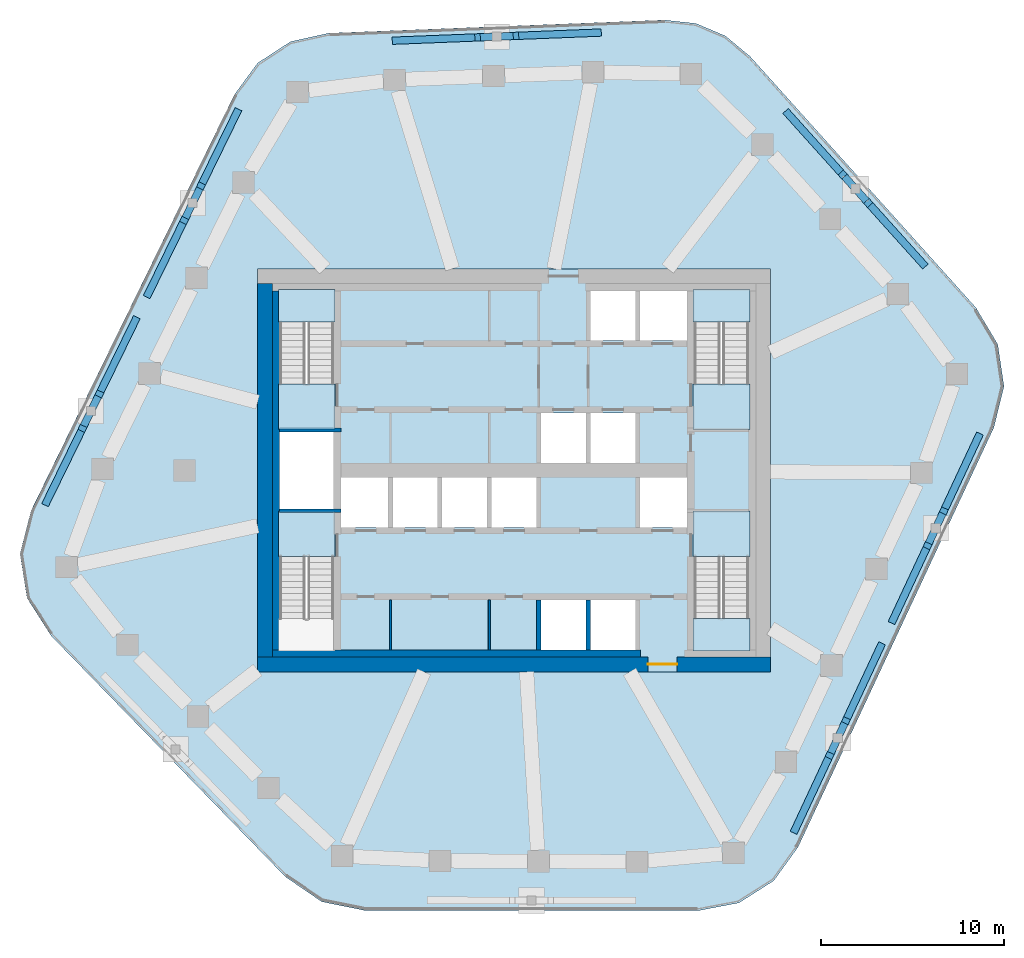
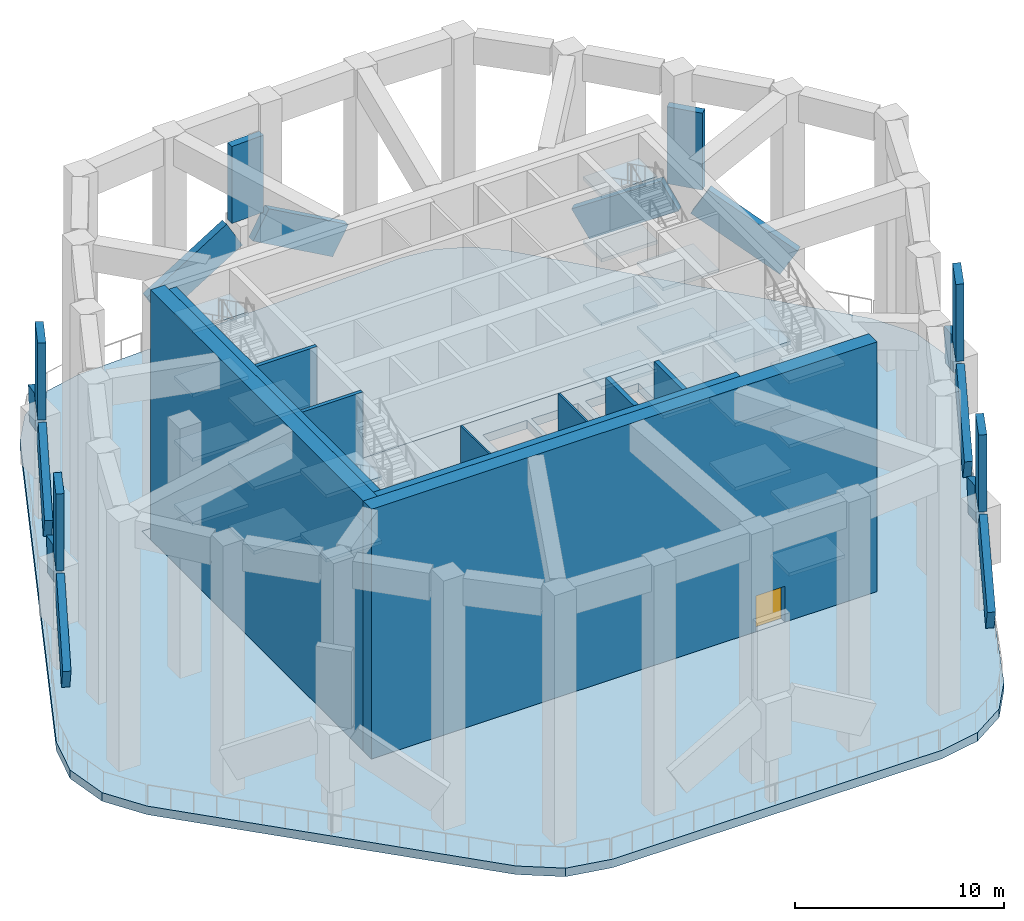
# One storey, part 2 of 12: 25 slabs, 18 plates, 10 walls, 1 door, 1 opening, 4 elements without a shape of their own.
"""IFC4 building model written with IfcOpenShell, lengths in metres."""

from ifc_helpers import new_model, si_unit, direction, frame, frame_2d, origin, origin_2d, place, context, subcontext, project, spatial, polyline, rectangle, outline, extrude, material, layer, layer_set, material_profile, profile_set, type_object, element, fill, aggregate, save


model = new_model("IFC4")

# Units and contexts
model_context = context("Model", 3, precision=1e-05, world=origin(), true_north=direction((0.0, 1.0)))
body_context = subcontext(model_context, "Body", "Model", "MODEL_VIEW")
ifc_project = project(units=[si_unit("LENGTHUNIT", "METRE"), si_unit("AREAUNIT", "SQUARE_METRE"), si_unit("VOLUMEUNIT", "CUBIC_METRE"), si_unit("PLANEANGLEUNIT", "RADIAN"), si_unit("MASSUNIT", "GRAM", prefix="KILO")], contexts=[model_context])

# Site, building, storey
site_placement = place(None, origin())
site = spatial("IfcSite", under=ifc_project, at=site_placement, CompositionType="ELEMENT")
building_placement = place(site_placement, origin())
building = spatial("IfcBuilding", under=site, at=building_placement, Name="Dongbaek Canopy Tower", CompositionType="ELEMENT")
storey_placement = place(building_placement, frame((0.0, 0.0, 183.800048828125)))
storey = spatial("IfcBuildingStorey", under=building, at=storey_placement, Name="L40", CompositionType="ELEMENT", Elevation=183.800048828125)

# Slab
ifc_material_1 = material(Name="Concrete C40/50", Category="concrete")
ifc_layer_1 = layer(ifc_material_1, 0.5)
ifc_layer_set_1 = layer_set([ifc_layer_1], Name="Core floor slab 500 Concrete C40/50")
slab_type_1 = type_object("IfcSlabType", Name="Core floor slab 500 Concrete C40/50", PredefinedType="FLOOR", material=ifc_layer_set_1)
slab_1_placement = place(storey_placement, frame((0.0, 0.0, -0.5)))
element("IfcSlab", 1, at=slab_1_placement, inside=storey, type_object=slab_type_1, Name="Core floor slab L40", PredefinedType="FLOOR", context=body_context, shape_type="SweptSolid", body=[
    extrude(outline(polyline([(14.0, -11.0), (14.0, 11.0), (-14.0, 11.0), (-14.0, -11.0), (14.0, -11.0)]), holes=[polyline([(-12.800048828125, 2.10009765625), (-9.85009765625, 2.10009765625), (-9.85009765625, -2.10009765625), (-12.800048828125, -2.10009765625), (-12.800048828125, 2.10009765625)]), polyline([(6.625, 9.800048828125), (6.625, 7.074951171875), (4.175048828125, 7.074951171875), (4.175048828125, 9.800048828125), (6.625, 9.800048828125)]), polyline([(9.449951171875, 7.074951171875), (6.875, 7.074951171875), (6.875, 9.800048828125), (9.449951171875, 9.800048828125), (9.449951171875, 7.074951171875)]), polyline([(3.925048828125, 3.125), (3.925048828125, 0.39990234375), (1.47509765625, 0.39990234375), (1.47509765625, 3.125), (3.925048828125, 3.125)]), polyline([(4.175048828125, 3.125), (6.625, 3.125), (6.625, 0.39990234375), (4.175048828125, 0.39990234375), (4.175048828125, 3.125)]), polyline([(-9.449951171875, -0.39990234375), (-6.875, -0.39990234375), (-6.875, -3.125), (-9.449951171875, -3.125), (-9.449951171875, -0.39990234375)]), polyline([(-6.625, -0.39990234375), (-4.175048828125, -0.39990234375), (-4.175048828125, -3.125), (-6.625, -3.125), (-6.625, -0.39990234375)]), polyline([(-3.925048828125, -0.39990234375), (-1.47509765625, -0.39990234375), (-1.47509765625, -3.125), (-3.925048828125, -3.125), (-3.925048828125, -0.39990234375)]), polyline([(-1.22509765625, -0.39990234375), (1.22509765625, -0.39990234375), (1.22509765625, -3.125), (-1.22509765625, -3.125), (-1.22509765625, -0.39990234375)]), polyline([(9.449951171875, -3.125), (6.875, -3.125), (6.875, -0.39990234375), (9.449951171875, -0.39990234375), (9.449951171875, -3.125)]), polyline([(1.47509765625, -9.800048828125), (1.47509765625, -7.074951171875), (3.925048828125, -7.074951171875), (3.925048828125, -9.800048828125), (1.47509765625, -9.800048828125)]), polyline([(4.175048828125, -9.800048828125), (4.175048828125, -7.074951171875), (6.625, -7.074951171875), (6.625, -9.800048828125), (4.175048828125, -9.800048828125)]), polyline([(12.800048828125, 4.70068359375), (12.800048828125, 9.800048828125), (9.85009765625, 9.800048828125), (9.85009765625, 4.70068359375), (12.800048828125, 4.70068359375)]), polyline([(-9.85009765625, 4.70068359375), (-9.85009765625, 9.800048828125), (-12.800048828125, 9.800048828125), (-12.800048828125, 4.70068359375), (-9.85009765625, 4.70068359375)]), polyline([(9.85009765625, -4.70068359375), (9.85009765625, -9.800048828125), (12.800048828125, -9.800048828125), (12.800048828125, -4.70068359375), (9.85009765625, -4.70068359375)]), polyline([(-12.800048828125, -4.70068359375), (-12.800048828125, -9.800048828125), (-9.85009765625, -9.800048828125), (-9.85009765625, -4.70068359375), (-12.800048828125, -4.70068359375)])]), origin(), (0.0, 0.0, 1.0), 0.5),
])

# Stair, slabs
ifc_material_2 = material(Name="Concrete C40/50", Category="concrete")
stair_type = type_object("IfcStairType", Name="Core exit stair", PredefinedType="HALF_TURN_STAIR", material=ifc_material_2)
stair_1_placement = place(storey_placement, origin())
stair_1 = element("IfcStair", 2, at=stair_1_placement, inside=storey, type_object=stair_type, Name="L40 exit stair A", PredefinedType="HALF_TURN_STAIR")
ifc_material_3 = material(Name="Concrete C40/50", Category="concrete")
ifc_layer_2 = layer(ifc_material_3, 0.199951171875)
ifc_layer_set_2 = layer_set([ifc_layer_2], Name="Core stair landing 200")
slab_type_2 = type_object("IfcSlabType", Name="Core stair landing 200", PredefinedType="LANDING", material=ifc_layer_set_2)
slab_2_placement = place(storey_placement, frame((0.0, 0.0, 1.675048828125)))
slab_2 = element("IfcSlab", 3, at=slab_2_placement, type_object=slab_type_2, Name="ST-A landing 1", PredefinedType="LANDING", context=body_context, shape_type="SweptSolid", body=[
    extrude(outline(polyline([(12.875, 8.10009765625), (12.875, 9.875), (9.77490234375, 9.875), (9.77490234375, 8.10009765625), (12.875, 8.10009765625)])), origin(), (0.0, 0.0, 1.0), 0.199951171875),
])
slab_3_placement = place(storey_placement, frame((0.0, 0.0, 3.550048828125)))
slab_3 = element("IfcSlab", 4, at=slab_3_placement, type_object=slab_type_2, Name="ST-A landing 2", PredefinedType="LANDING", context=body_context, shape_type="SweptSolid", body=[
    extrude(outline(polyline([(12.875, 2.22509765625), (12.875, 4.699951171875), (9.77490234375, 4.699951171875), (9.77490234375, 2.22509765625), (12.875, 2.22509765625)])), origin(), (0.0, 0.0, 1.0), 0.199951171875),
])
slab_4_placement = place(storey_placement, frame((0.0, 0.0, 5.425048828125)))
slab_4 = element("IfcSlab", 5, at=slab_4_placement, type_object=slab_type_2, Name="ST-A landing 3", PredefinedType="LANDING", context=body_context, shape_type="SweptSolid", body=[
    extrude(outline(polyline([(12.875, 8.10009765625), (12.875, 9.875), (9.77490234375, 9.875), (9.77490234375, 8.10009765625), (12.875, 8.10009765625)])), origin(), (0.0, 0.0, 1.0), 0.199951171875),
])
slab_5_placement = place(storey_placement, frame((0.0, 0.0, 7.300048828125)))
slab_5 = element("IfcSlab", 6, at=slab_5_placement, type_object=slab_type_2, Name="ST-A landing 4", PredefinedType="LANDING", context=body_context, shape_type="SweptSolid", body=[
    extrude(outline(polyline([(12.875, 2.22509765625), (12.875, 4.699951171875), (9.77490234375, 4.699951171875), (9.77490234375, 2.22509765625), (12.875, 2.22509765625)])), origin(), (0.0, 0.0, 1.0), 0.199951171875),
])
slab_6_placement = place(storey_placement, frame((0.0, 0.0, 9.175048828125)))
slab_6 = element("IfcSlab", 7, at=slab_6_placement, type_object=slab_type_2, Name="ST-A landing 5", PredefinedType="LANDING", context=body_context, shape_type="SweptSolid", body=[
    extrude(outline(polyline([(12.875, 8.10009765625), (12.875, 9.875), (9.77490234375, 9.875), (9.77490234375, 8.10009765625), (12.875, 8.10009765625)])), origin(), (0.0, 0.0, 1.0), 0.199951171875),
])
slab_7_placement = place(storey_placement, frame((0.0, 0.0, 11.050048828125)))
slab_7 = element("IfcSlab", 8, at=slab_7_placement, type_object=slab_type_2, Name="ST-A landing 6", PredefinedType="LANDING", context=body_context, shape_type="SweptSolid", body=[
    extrude(outline(polyline([(12.875, 2.22509765625), (12.875, 4.699951171875), (9.77490234375, 4.699951171875), (9.77490234375, 2.22509765625), (12.875, 2.22509765625)])), origin(), (0.0, 0.0, 1.0), 0.199951171875),
])
slab_8_placement = place(storey_placement, frame((0.0, 0.0, 12.925048828125)))
slab_8 = element("IfcSlab", 9, at=slab_8_placement, type_object=slab_type_2, Name="ST-A landing 7", PredefinedType="LANDING", context=body_context, shape_type="SweptSolid", body=[
    extrude(outline(polyline([(12.875, 8.10009765625), (12.875, 9.875), (9.77490234375, 9.875), (9.77490234375, 8.10009765625), (12.875, 8.10009765625)])), origin(), (0.0, 0.0, 1.0), 0.199951171875),
])
aggregate(stair_1, [slab_2, slab_3, slab_4, slab_5, slab_6, slab_7, slab_8])

stair_2_placement = place(storey_placement, origin())
stair_2 = element("IfcStair", 10, at=stair_2_placement, inside=storey, type_object=stair_type, Name="L40 exit stair C", PredefinedType="HALF_TURN_STAIR")
slab_9_placement = place(storey_placement, frame((0.0, 0.0, 1.675048828125)))
slab_9 = element("IfcSlab", 11, at=slab_9_placement, type_object=slab_type_2, Name="ST-C landing 1", PredefinedType="LANDING", context=body_context, shape_type="SweptSolid", body=[
    extrude(outline(polyline([(-9.77490234375, 8.10009765625), (-9.77490234375, 9.875), (-12.875, 9.875), (-12.875, 8.10009765625), (-9.77490234375, 8.10009765625)])), origin(), (0.0, 0.0, 1.0), 0.199951171875),
])
slab_10_placement = place(storey_placement, frame((0.0, 0.0, 3.550048828125)))
slab_10 = element("IfcSlab", 12, at=slab_10_placement, type_object=slab_type_2, Name="ST-C landing 2", PredefinedType="LANDING", context=body_context, shape_type="SweptSolid", body=[
    extrude(outline(polyline([(-9.77490234375, 2.22509765625), (-9.77490234375, 4.699951171875), (-12.875, 4.699951171875), (-12.875, 2.22509765625), (-9.77490234375, 2.22509765625)])), origin(), (0.0, 0.0, 1.0), 0.199951171875),
])
slab_11_placement = place(storey_placement, frame((0.0, 0.0, 5.425048828125)))
slab_11 = element("IfcSlab", 13, at=slab_11_placement, type_object=slab_type_2, Name="ST-C landing 3", PredefinedType="LANDING", context=body_context, shape_type="SweptSolid", body=[
    extrude(outline(polyline([(-9.77490234375, 8.10009765625), (-9.77490234375, 9.875), (-12.875, 9.875), (-12.875, 8.10009765625), (-9.77490234375, 8.10009765625)])), origin(), (0.0, 0.0, 1.0), 0.199951171875),
])
slab_12_placement = place(storey_placement, frame((0.0, 0.0, 7.300048828125)))
slab_12 = element("IfcSlab", 14, at=slab_12_placement, type_object=slab_type_2, Name="ST-C landing 4", PredefinedType="LANDING", context=body_context, shape_type="SweptSolid", body=[
    extrude(outline(polyline([(-9.77490234375, 2.22509765625), (-9.77490234375, 4.699951171875), (-12.875, 4.699951171875), (-12.875, 2.22509765625), (-9.77490234375, 2.22509765625)])), origin(), (0.0, 0.0, 1.0), 0.199951171875),
])
slab_13_placement = place(storey_placement, frame((0.0, 0.0, 9.175048828125)))
slab_13 = element("IfcSlab", 15, at=slab_13_placement, type_object=slab_type_2, Name="ST-C landing 5", PredefinedType="LANDING", context=body_context, shape_type="SweptSolid", body=[
    extrude(outline(polyline([(-9.77490234375, 8.10009765625), (-9.77490234375, 9.875), (-12.875, 9.875), (-12.875, 8.10009765625), (-9.77490234375, 8.10009765625)])), origin(), (0.0, 0.0, 1.0), 0.199951171875),
])
slab_14_placement = place(storey_placement, frame((0.0, 0.0, 11.050048828125)))
slab_14 = element("IfcSlab", 16, at=slab_14_placement, type_object=slab_type_2, Name="ST-C landing 6", PredefinedType="LANDING", context=body_context, shape_type="SweptSolid", body=[
    extrude(outline(polyline([(-9.77490234375, 2.22509765625), (-9.77490234375, 4.699951171875), (-12.875, 4.699951171875), (-12.875, 2.22509765625), (-9.77490234375, 2.22509765625)])), origin(), (0.0, 0.0, 1.0), 0.199951171875),
])
slab_15_placement = place(storey_placement, frame((0.0, 0.0, 12.925048828125)))
slab_15 = element("IfcSlab", 17, at=slab_15_placement, type_object=slab_type_2, Name="ST-C landing 7", PredefinedType="LANDING", context=body_context, shape_type="SweptSolid", body=[
    extrude(outline(polyline([(-9.77490234375, 8.10009765625), (-9.77490234375, 9.875), (-12.875, 9.875), (-12.875, 8.10009765625), (-9.77490234375, 8.10009765625)])), origin(), (0.0, 0.0, 1.0), 0.199951171875),
])
aggregate(stair_2, [slab_9, slab_10, slab_11, slab_12, slab_13, slab_14, slab_15])

stair_3_placement = place(storey_placement, origin())
stair_3 = element("IfcStair", 18, at=stair_3_placement, inside=storey, type_object=stair_type, Name="L40 exit stair B", PredefinedType="HALF_TURN_STAIR")
slab_16_placement = place(storey_placement, frame((0.0, 0.0, 1.675048828125)))
slab_16 = element("IfcSlab", 19, at=slab_16_placement, type_object=slab_type_2, Name="ST-B landing 1", PredefinedType="LANDING", context=body_context, shape_type="SweptSolid", body=[
    extrude(outline(polyline([(9.77490234375, -8.10009765625), (9.77490234375, -9.875), (12.875, -9.875), (12.875, -8.10009765625), (9.77490234375, -8.10009765625)])), origin(), (0.0, 0.0, 1.0), 0.199951171875),
])
slab_17_placement = place(storey_placement, frame((0.0, 0.0, 3.550048828125)))
slab_17 = element("IfcSlab", 20, at=slab_17_placement, type_object=slab_type_2, Name="ST-B landing 2", PredefinedType="LANDING", context=body_context, shape_type="SweptSolid", body=[
    extrude(outline(polyline([(9.77490234375, -2.22509765625), (9.77490234375, -4.699951171875), (12.875, -4.699951171875), (12.875, -2.22509765625), (9.77490234375, -2.22509765625)])), origin(), (0.0, 0.0, 1.0), 0.199951171875),
])
slab_18_placement = place(storey_placement, frame((0.0, 0.0, 5.425048828125)))
slab_18 = element("IfcSlab", 21, at=slab_18_placement, type_object=slab_type_2, Name="ST-B landing 3", PredefinedType="LANDING", context=body_context, shape_type="SweptSolid", body=[
    extrude(outline(polyline([(9.77490234375, -8.10009765625), (9.77490234375, -9.875), (12.875, -9.875), (12.875, -8.10009765625), (9.77490234375, -8.10009765625)])), origin(), (0.0, 0.0, 1.0), 0.199951171875),
])
slab_19_placement = place(storey_placement, frame((0.0, 0.0, 7.300048828125)))
slab_19 = element("IfcSlab", 22, at=slab_19_placement, type_object=slab_type_2, Name="ST-B landing 4", PredefinedType="LANDING", context=body_context, shape_type="SweptSolid", body=[
    extrude(outline(polyline([(9.77490234375, -2.22509765625), (9.77490234375, -4.699951171875), (12.875, -4.699951171875), (12.875, -2.22509765625), (9.77490234375, -2.22509765625)])), origin(), (0.0, 0.0, 1.0), 0.199951171875),
])
slab_20_placement = place(storey_placement, frame((0.0, 0.0, 9.175048828125)))
slab_20 = element("IfcSlab", 23, at=slab_20_placement, type_object=slab_type_2, Name="ST-B landing 5", PredefinedType="LANDING", context=body_context, shape_type="SweptSolid", body=[
    extrude(outline(polyline([(9.77490234375, -8.10009765625), (9.77490234375, -9.875), (12.875, -9.875), (12.875, -8.10009765625), (9.77490234375, -8.10009765625)])), origin(), (0.0, 0.0, 1.0), 0.199951171875),
])
slab_21_placement = place(storey_placement, frame((0.0, 0.0, 11.050048828125)))
slab_21 = element("IfcSlab", 24, at=slab_21_placement, type_object=slab_type_2, Name="ST-B landing 6", PredefinedType="LANDING", context=body_context, shape_type="SweptSolid", body=[
    extrude(outline(polyline([(9.77490234375, -2.22509765625), (9.77490234375, -4.699951171875), (12.875, -4.699951171875), (12.875, -2.22509765625), (9.77490234375, -2.22509765625)])), origin(), (0.0, 0.0, 1.0), 0.199951171875),
])
slab_22_placement = place(storey_placement, frame((0.0, 0.0, 12.925048828125)))
slab_22 = element("IfcSlab", 25, at=slab_22_placement, type_object=slab_type_2, Name="ST-B landing 7", PredefinedType="LANDING", context=body_context, shape_type="SweptSolid", body=[
    extrude(outline(polyline([(9.77490234375, -8.10009765625), (9.77490234375, -9.875), (12.875, -9.875), (12.875, -8.10009765625), (9.77490234375, -8.10009765625)])), origin(), (0.0, 0.0, 1.0), 0.199951171875),
])
aggregate(stair_3, [slab_16, slab_17, slab_18, slab_19, slab_20, slab_21, slab_22])

stair_4_placement = place(storey_placement, origin())
stair_4 = element("IfcStair", 26, at=stair_4_placement, inside=storey, type_object=stair_type, Name="L40 exit stair D", PredefinedType="HALF_TURN_STAIR")
slab_23_placement = place(storey_placement, frame((0.0, 0.0, 7.300048828125)))
slab_23 = element("IfcSlab", 27, at=slab_23_placement, type_object=slab_type_2, Name="ST-D landing 4", PredefinedType="LANDING", context=body_context, shape_type="SweptSolid", body=[
    extrude(outline(polyline([(-12.875, -2.22509765625), (-12.875, -4.699951171875), (-9.77490234375, -4.699951171875), (-9.77490234375, -2.22509765625), (-12.875, -2.22509765625)])), origin(), (0.0, 0.0, 1.0), 0.199951171875),
])
slab_24_placement = place(storey_placement, frame((0.0, 0.0, 11.050048828125)))
slab_24 = element("IfcSlab", 28, at=slab_24_placement, type_object=slab_type_2, Name="ST-D landing 6", PredefinedType="LANDING", context=body_context, shape_type="SweptSolid", body=[
    extrude(outline(polyline([(-12.875, -2.22509765625), (-12.875, -4.699951171875), (-9.77490234375, -4.699951171875), (-9.77490234375, -2.22509765625), (-12.875, -2.22509765625)])), origin(), (0.0, 0.0, 1.0), 0.199951171875),
])
aggregate(stair_4, [slab_23, slab_24])

# Slab
ifc_material_4 = material(Name="Concrete C40", Category="concrete")
ifc_layer_3 = layer(ifc_material_4, 0.5)
ifc_layer_set_3 = layer_set([ifc_layer_3], Name="RC FLAT PLATE 500 Concrete C40")
slab_type_3 = type_object("IfcSlabType", Name="RC FLAT PLATE 500 Concrete C40", PredefinedType="FLOOR", material=ifc_layer_set_3)
slab_25_placement = place(storey_placement, frame((0.0, 0.0, -0.5)))
element("IfcSlab", 29, at=slab_25_placement, inside=storey, type_object=slab_type_3, Name="SLAB:L40", PredefinedType="FLOOR", context=body_context, shape_type="SweptSolid", body=[
    extrude(outline(polyline([(15.498291015625, -20.578857421875), (14.177001953125, -22.406982421875), (12.27392578125, -23.6181640625), (10.05810546875, -24.040771484375), (-8.16552734375, -24.030029296875), (-10.49853515625, -23.556396484375), (-12.4638671875, -22.212646484375), (-25.28515625, -9.025390625), (-26.593017578125, -6.9716796875), (-26.97705078125, -4.5673828125), (-26.3740234375, -2.20849609375), (-15.272705078125, 20.506591796875), (-14.00341796875, 22.232666015625), (-12.20849609375, 23.402587890625), (-10.1171875, 23.867431640625), (8.180908203125, 24.585205078125), (9.920166015625, 24.398193359375), (11.531494140625, 23.717529296875), (12.8779296875, 22.600830078125), (25.216064453125, 8.876220703125), (26.405517578125, 6.88037109375), (26.747314453125, 4.58251953125), (26.19091796875, 2.326904296875), (15.498291015625, -20.578857421875)]), holes=[polyline([(14.0, 11.0), (-14.0, 11.0), (-14.0, -11.0), (14.0, -11.0), (14.0, 11.0)])]), origin(), (0.0, 0.0, 1.0), 0.5),
])

# Plates
ifc_material_5 = material(Name="Aluminium 6063-T6 pale metal turbine rotor", Category="aluminium")
ifc_material_profile = material_profile(ifc_material_5, rectangle(XDim=0.39990234375, YDim=1.800048828125, at=origin_2d()), Name="Turbine rotor blade 400 x 1800")
ifc_profile_set = profile_set([ifc_material_profile], Name="Aluminium 6063-T6 pale metal turbine rotor")
plate_type = type_object("IfcPlateType", Name="Turbine rotor blade 400 x 1800", PredefinedType="SHEET", material=ifc_profile_set)
plate_1_placement = place(storey_placement, frame((18.637939453125, 15.370849609375, 6.2080078125), z_axis=(0.0, 0.0, 1.0), x_axis=(0.743679870588, 0.66853590037, 0.0)))
element("IfcPlate", 30, at=plate_1_placement, inside=storey, type_object=plate_type, Name="Turbine 1 blade 1", PredefinedType="SHEET", context=body_context, shape_type="SweptSolid", body=[
    extrude(rectangle(XDim=0.39990234375, YDim=1.800048828125, at=origin_2d()), origin(), (0.0, 0.0, 1.0), 4.508056640625),
])
for number, where, z_axis, x_axis, name in (
    (31, (18.13671875, 15.928466796875, 5.508056640625), (-0.578978717245, 0.64404409329, -0.499990850792), (-0.743673525302, -0.668542958803, 0.0), "Turbine 1 blade 2"),
    (32, (19.139404296875, 14.81298828125, 5.508056640625), (0.578978717245, -0.64404409329, -0.499990850792), (0.743673525302, 0.668542958803, 0.0), "Turbine 1 blade 3"),
):
    element("IfcPlate", number, at=place(storey_placement, frame(where, z_axis=z_axis, x_axis=x_axis)), inside=storey, type_object=plate_type, Name=name, PredefinedType="SHEET", context=body_context, shape_type="SweptSolid", body=[
        extrude(rectangle(XDim=0.39990234375, YDim=1.800048828125, at=origin_2d()), origin(), (0.0, 0.0, 1.0), 5.2080078125),
    ])
plate_2_placement = place(storey_placement, frame((-0.946533203125, 23.6767578125, 6.2080078125), z_axis=(0.0, 0.0, 1.0), x_axis=(-0.039189642556, 0.999231790886, 0.0)))
element("IfcPlate", 33, at=plate_2_placement, inside=storey, type_object=plate_type, Name="Turbine 2 blade 1", PredefinedType="SHEET", context=body_context, shape_type="SweptSolid", body=[
    extrude(rectangle(XDim=0.39990234375, YDim=1.800048828125, at=origin_2d()), origin(), (0.0, 0.0, 1.0), 4.508056640625),
])
for number, where, z_axis, x_axis, name in (
    (34, (-1.696044921875, 23.647216796875, 5.508056640625), (-0.865361728567, -0.033939430741, -0.499997193765), (0.039189805632, -0.99923178449, 0.0), "Turbine 2 blade 2"),
    (35, (-0.197265625, 23.7060546875, 5.508056640625), (0.865361728567, 0.033939430741, -0.499997193765), (-0.039189805632, 0.99923178449, 0.0), "Turbine 2 blade 3"),
):
    element("IfcPlate", number, at=place(storey_placement, frame(where, z_axis=z_axis, x_axis=x_axis)), inside=storey, type_object=plate_type, Name=name, PredefinedType="SHEET", context=body_context, shape_type="SweptSolid", body=[
        extrude(rectangle(XDim=0.39990234375, YDim=1.800048828125, at=origin_2d()), origin(), (0.0, 0.0, 1.0), 5.2080078125),
    ])
plate_3_placement = place(storey_placement, frame((-17.553955078125, 14.58642578125, 6.2080078125), z_axis=(0.0, 0.0, 1.0), x_axis=(-0.898443184933, 0.439089789734, 0.0)))
element("IfcPlate", 36, at=plate_3_placement, inside=storey, type_object=plate_type, Name="Turbine 3 blade 1", PredefinedType="SHEET", context=body_context, shape_type="SweptSolid", body=[
    extrude(rectangle(XDim=0.39990234375, YDim=1.800048828125, at=origin_2d()), origin(), (0.0, 0.0, 1.0), 4.508056640625),
])
for number, where, z_axis, x_axis, name in (
    (37, (-17.883056640625, 13.91259765625, 5.508056640625), (-0.380270641755, -0.778073485188, -0.49999589065), (0.898439410924, -0.439097511834, 0.0), "Turbine 3 blade 2"),
    (38, (-17.224609375, 15.26025390625, 5.508056640625), (0.380270641755, 0.778073485188, -0.49999589065), (-0.898439410924, 0.439097511834, 0.0), "Turbine 3 blade 3"),
):
    element("IfcPlate", number, at=place(storey_placement, frame(where, z_axis=z_axis, x_axis=x_axis)), inside=storey, type_object=plate_type, Name=name, PredefinedType="SHEET", context=body_context, shape_type="SweptSolid", body=[
        extrude(rectangle(XDim=0.39990234375, YDim=1.800048828125, at=origin_2d()), origin(), (0.0, 0.0, 1.0), 5.2080078125),
    ])
plate_4_placement = place(storey_placement, frame((-23.1044921875, 3.228759765625, 6.2080078125), z_axis=(0.0, 0.0, 1.0), x_axis=(-0.898443184933, 0.439089789734, 0.0)))
element("IfcPlate", 39, at=plate_4_placement, inside=storey, type_object=plate_type, Name="Turbine 4 blade 1", PredefinedType="SHEET", context=body_context, shape_type="SweptSolid", body=[
    extrude(rectangle(XDim=0.39990234375, YDim=1.800048828125, at=origin_2d()), origin(), (0.0, 0.0, 1.0), 4.508056640625),
])
plate_5_placement = place(storey_placement, frame((-23.433837890625, 2.554931640625, 5.508056640625), z_axis=(-0.380284512153, -0.778054986219, -0.500014128036), x_axis=(0.89842897366, -0.439118866924, 0.0)))
element("IfcPlate", 40, at=plate_5_placement, inside=storey, type_object=plate_type, Name="Turbine 4 blade 2", PredefinedType="SHEET", context=body_context, shape_type="SweptSolid", body=[
    extrude(rectangle(XDim=0.39990234375, YDim=1.800048828125, at=origin_2d()), origin(), (0.0, 0.0, 1.0), 5.207763671875),
])
plate_6_placement = place(storey_placement, frame((-22.775146484375, 3.902587890625, 5.508056640625), z_axis=(0.380270641755, 0.778073485188, -0.49999589065), x_axis=(-0.898439410924, 0.439097511834, 0.0)))
element("IfcPlate", 41, at=plate_6_placement, inside=storey, type_object=plate_type, Name="Turbine 4 blade 3", PredefinedType="SHEET", context=body_context, shape_type="SweptSolid", body=[
    extrude(rectangle(XDim=0.39990234375, YDim=1.800048828125, at=origin_2d()), origin(), (0.0, 0.0, 1.0), 5.2080078125),
])
plate_7_placement = place(storey_placement, frame((17.673095703125, -14.61962890625, 6.2080078125), z_axis=(0.0, 0.0, 1.0), x_axis=(0.906136318814, -0.422985781944, 0.0)))
element("IfcPlate", 42, at=plate_7_placement, inside=storey, type_object=plate_type, Name="Turbine 7 blade 1", PredefinedType="SHEET", context=body_context, shape_type="SweptSolid", body=[
    extrude(rectangle(XDim=0.39990234375, YDim=1.800048828125, at=origin_2d()), origin(), (0.0, 0.0, 1.0), 4.508056640625),
])
for number, where, z_axis, x_axis, name in (
    (43, (17.990478515625, -13.940185546875, 5.508056640625), (0.366305943931, 0.784740402023, -0.500002456868), (-0.906141648889, 0.422974363466, 0.0), "Turbine 7 blade 2"),
    (44, (17.35595703125, -15.29931640625, 5.508056640625), (-0.366305943931, -0.784740402023, -0.500002456868), (0.906141648889, -0.422974363466, 0.0), "Turbine 7 blade 3"),
):
    element("IfcPlate", number, at=place(storey_placement, frame(where, z_axis=z_axis, x_axis=x_axis)), inside=storey, type_object=plate_type, Name=name, PredefinedType="SHEET", context=body_context, shape_type="SweptSolid", body=[
        extrude(rectangle(XDim=0.39990234375, YDim=1.800048828125, at=origin_2d()), origin(), (0.0, 0.0, 1.0), 5.2080078125),
    ])
plate_8_placement = place(storey_placement, frame((23.019287109375, -3.166748046875, 6.2080078125), z_axis=(0.0, 0.0, 1.0), x_axis=(0.906136318814, -0.422985781944, 0.0)))
element("IfcPlate", 45, at=plate_8_placement, inside=storey, type_object=plate_type, Name="Turbine 8 blade 1", PredefinedType="SHEET", context=body_context, shape_type="SweptSolid", body=[
    extrude(rectangle(XDim=0.39990234375, YDim=1.800048828125, at=origin_2d()), origin(), (0.0, 0.0, 1.0), 4.508056640625),
])
for number, where, z_axis, x_axis, name in (
    (46, (23.336669921875, -2.4873046875, 5.508056640625), (0.366305943931, 0.784740402023, -0.500002456868), (-0.906141648889, 0.422974363466, 0.0), "Turbine 8 blade 2"),
    (47, (22.7021484375, -3.846435546875, 5.508056640625), (-0.366305943931, -0.784740402023, -0.500002456868), (0.906141648889, -0.422974363466, 0.0), "Turbine 8 blade 3"),
):
    element("IfcPlate", number, at=place(storey_placement, frame(where, z_axis=z_axis, x_axis=x_axis)), inside=storey, type_object=plate_type, Name=name, PredefinedType="SHEET", context=body_context, shape_type="SweptSolid", body=[
        extrude(rectangle(XDim=0.39990234375, YDim=1.800048828125, at=origin_2d()), origin(), (0.0, 0.0, 1.0), 5.2080078125),
    ])

# Wall, opening, door
ifc_material_6 = material(Name="Concrete C70/85", Category="concrete")
ifc_layer_4 = layer(ifc_material_6, 0.800048828125)
ifc_layer_set_4 = layer_set([ifc_layer_4], Name="Core outer wall 800 Concrete C70/85")
wall_type_1 = type_object("IfcWallType", Name="Core outer wall 800 Concrete C70/85", PredefinedType="SHEAR", material=ifc_layer_set_4)
wall_1_placement = place(storey_placement, frame((14.0, -10.60009765625, 0.0), z_axis=(0.0, 0.0, 1.0), x_axis=(-1.0, 0.0, 0.0)))
wall_1 = element("IfcWall", 48, at=wall_1_placement, inside=storey, type_object=wall_type_1, Name="Core wall", PredefinedType="SHEAR", context=body_context, shape_type="SweptSolid", body=[
    extrude(rectangle(XDim=28.0, YDim=0.800048828125, at=frame_2d((14.0, 0.0))), origin(), (0.0, 0.0, 1.0), 14.619873046875),
])
opening_placement = place(wall_1_placement, frame((5.10009765625, 0.0, 0.0)))
opening = element("IfcOpeningElement", 49, at=opening_placement, cuts=wall_1, Name="Opening L40-D014", PredefinedType="OPENING", context=body_context, shape_type="SweptSolid", body=[
    extrude(rectangle(XDim=1.60009765625, YDim=2.10009765625, at=frame_2d((0.800048828125, 1.050048828125))), frame((0.0, 0.409912109375, 0.0), z_axis=(0.0, -1.0, 0.0), x_axis=(1.0, 0.0, 0.0)), (0.0, 0.0, 1.0), 0.820068359375),
])
ifc_material_7 = material(Name="Steel", Category="steel")
door_type = type_object("IfcDoorType", Name="Core exit door 1600 x 2100", OperationType="DOUBLE_DOOR_SINGLE_SWING", PredefinedType="DOOR", material=ifc_material_7)
door_placement = place(opening_placement, origin())
door = element("IfcDoor", 50, at=door_placement, inside=storey, type_object=door_type, Name="Core exit door", OperationType="DOUBLE_DOOR_SINGLE_SWING", OverallHeight=2.10009765625, OverallWidth=1.60009765625, PredefinedType="DOOR", context=body_context, shape_type="SweptSolid", body=[
    extrude(rectangle(XDim=1.60009765625, YDim=2.10009765625, at=frame_2d((0.800048828125, 1.050048828125))), frame((0.0, 0.02490234375, 0.0), z_axis=(0.0, -1.0, 0.0), x_axis=(1.0, 0.0, 0.0)), (0.0, 0.0, 1.0), 0.050048828125),
])
fill(opening, door)

# Walls
wall_2_placement = place(storey_placement, frame((-13.60009765625, -10.199951171875, 0.0), z_axis=(0.0, 0.0, 1.0), x_axis=(0.0, 1.0, 0.0)))
element("IfcWall", 51, at=wall_2_placement, inside=storey, type_object=wall_type_1, Name="Core wall", PredefinedType="SHEAR", context=body_context, shape_type="SweptSolid", body=[
    extrude(rectangle(XDim=20.39990234375, YDim=0.800048828125, at=frame_2d((10.199951171875, 0.0))), origin(), (0.0, 0.0, 1.0), 14.619873046875),
])
ifc_material_8 = material(Name="Concrete C60/75", Category="concrete")
ifc_layer_5 = layer(ifc_material_8, 0.39990234375)
ifc_layer_set_5 = layer_set([ifc_layer_5], Name="Core wall lining 400 Concrete C60/75")
wall_type_2 = type_object("IfcWallType", Name="Core wall lining 400 Concrete C60/75", PredefinedType="SHEAR", material=ifc_layer_set_5)
wall_3_placement = place(storey_placement, frame((6.89990234375, -10.0, 0.0), z_axis=(0.0, 0.0, 1.0), x_axis=(-1.0, 0.0, 0.0)))
element("IfcWall", 52, at=wall_3_placement, inside=storey, type_object=wall_type_2, Name="Core wall lining", PredefinedType="SHEAR", context=body_context, shape_type="SweptSolid", body=[
    extrude(rectangle(XDim=20.099853515625, YDim=0.39990234375, at=frame_2d((10.0498046875, 0.0))), origin(), (0.0, 0.0, 1.0), 14.619873046875),
])
wall_4_placement = place(storey_placement, frame((-13.0, -9.800048828125, 0.0), z_axis=(0.0, 0.0, 1.0), x_axis=(0.0, 1.0, 0.0)))
element("IfcWall", 53, at=wall_4_placement, inside=storey, type_object=wall_type_2, Name="Core wall lining", PredefinedType="SHEAR", context=body_context, shape_type="SweptSolid", body=[
    extrude(rectangle(XDim=19.60009765625, YDim=0.39990234375, at=frame_2d((9.800048828125, 0.0))), origin(), (0.0, 0.0, 1.0), 14.619873046875),
])
ifc_material_9 = material(Name="Concrete C40/50", Category="concrete")
ifc_layer_6 = layer(ifc_material_9, 0.25)
ifc_layer_set_6 = layer_set([ifc_layer_6], Name="Lift shaft wall 250 Concrete C40/50")
wall_type_3 = type_object("IfcWallType", Name="Lift shaft wall 250 Concrete C40/50", PredefinedType="SOLIDWALL", material=ifc_layer_set_6)
for number, where, z_axis, x_axis, name in (
    (54, (4.050048828125, -9.800048828125, 0.0), (0.0, 0.0, 1.0), (0.0, 1.0, 0.0), "Lift shaft wall"),
    (55, (1.35009765625, -9.800048828125, 0.0), (0.0, 0.0, 1.0), (0.0, 1.0, 0.0), "Lift shaft wall"),
):
    element("IfcWall", number, at=place(storey_placement, frame(where, z_axis=z_axis, x_axis=x_axis)), inside=storey, type_object=wall_type_3, Name=name, PredefinedType="SOLIDWALL", context=body_context, shape_type="SweptSolid", body=[
        extrude(rectangle(XDim=2.72509765625, YDim=0.25, at=frame_2d((1.362548828125, 0.0))), origin(), (0.0, 0.0, 1.0), 14.619873046875),
    ])
ifc_material_10 = material(Name="Gypsum board partition, steel stud, 2 x 12.5 mm board", Category="steel")
ifc_layer_7 = layer(ifc_material_10, 0.10009765625)
ifc_layer_set_7 = layer_set([ifc_layer_7], Name="Partition 100 gypsum board")
wall_type_4 = type_object("IfcWallType", Name="Partition 100 gypsum board", PredefinedType="PARTITIONING", material=ifc_layer_set_7)
for number, where, z_axis, x_axis, name in (
    (56, (-1.35009765625, -9.800048828125, 0.0), (0.0, 0.0, 1.0), (0.0, 1.0, 0.0), "Core partition"),
    (57, (-6.75, -9.800048828125, 0.0), (0.0, 0.0, 1.0), (0.0, 1.0, 0.0), "Core partition"),
):
    element("IfcWall", number, at=place(storey_placement, frame(where, z_axis=z_axis, x_axis=x_axis)), inside=storey, type_object=wall_type_4, Name=name, PredefinedType="PARTITIONING", context=body_context, shape_type="SweptSolid", body=[
        extrude(rectangle(XDim=2.72509765625, YDim=0.10009765625, at=frame_2d((1.362548828125, 0.0))), origin(), (0.0, 0.0, 1.0), 14.619873046875),
    ])
ifc_material_11 = material(Name="Concrete C60/75", Category="concrete")
ifc_layer_8 = layer(ifc_material_11, 0.199951171875)
ifc_layer_set_8 = layer_set([ifc_layer_8], Name="Riser wall 200 Concrete C60/75")
wall_type_5 = type_object("IfcWallType", Name="Riser wall 200 Concrete C60/75", PredefinedType="SHEAR", material=ifc_layer_set_8)
for number, where, z_axis, x_axis, name in (
    (58, (-9.449951171875, 2.199951171875, 0.0), (0.0, 0.0, 1.0), (-1.0, 0.0, 0.0), "Riser wall"),
    (59, (-9.449951171875, -2.199951171875, 0.0), (0.0, 0.0, 1.0), (-1.0, 0.0, 0.0), "Riser wall"),
):
    element("IfcWall", number, at=place(storey_placement, frame(where, z_axis=z_axis, x_axis=x_axis)), inside=storey, type_object=wall_type_5, Name=name, PredefinedType="SHEAR", context=body_context, shape_type="SweptSolid", body=[
        extrude(rectangle(XDim=3.35009765625, YDim=0.199951171875, at=frame_2d((1.675048828125, 0.0))), origin(), (0.0, 0.0, 1.0), 14.619873046875),
    ])

save(model, "model.ifc")
